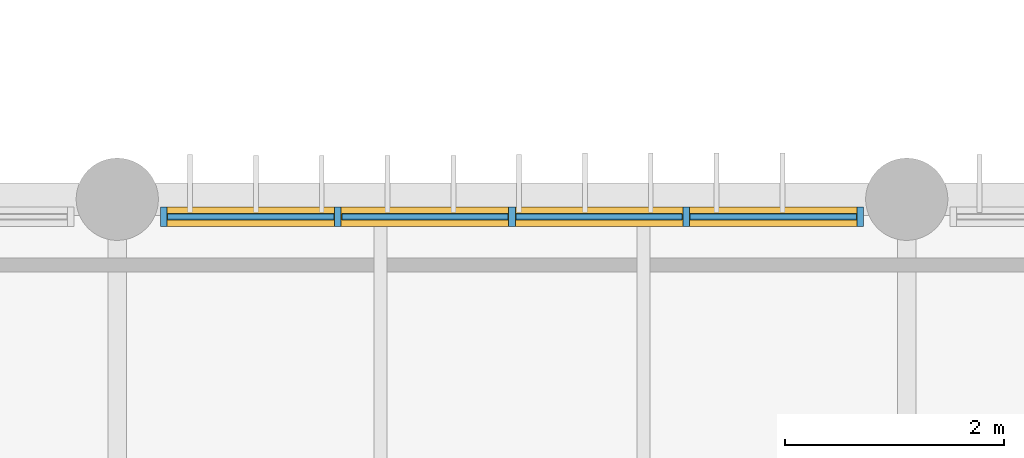
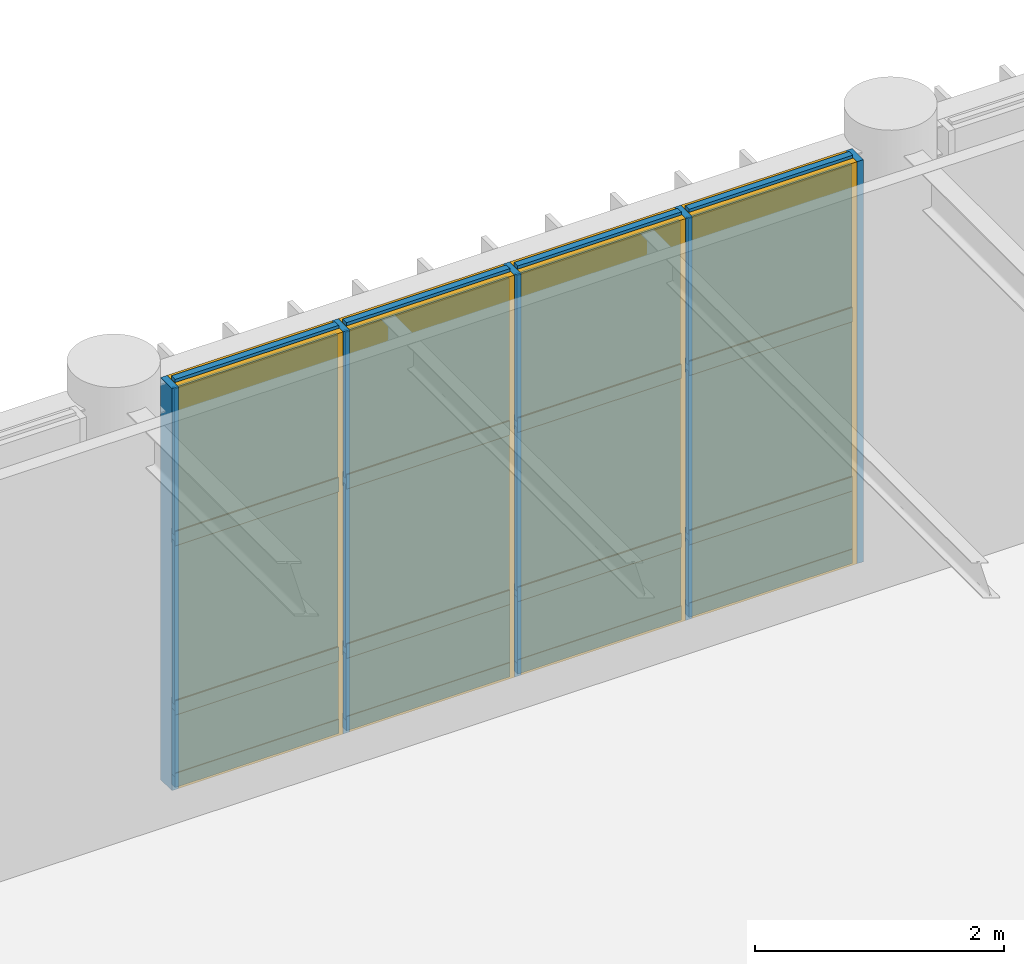
# One storey, part 84 of 122: 21 members, 12 plates, 1 curtain wall.
"""IFC4 building model written with IfcOpenShell, lengths in metres."""

from ifc_helpers import new_model, si_unit, direction, frame, frame_2d, origin, origin_2d, place, context, subcontext, project, spatial, rectangle, extrude, material, layer, layer_set, material_profile, profile_set, type_object, element, aggregate, save


model = new_model("IFC4")

# Units and contexts
model_context = context("Model", 3, precision=1e-05, world=origin(), true_north=direction((0.0, 1.0)))
body_context = subcontext(model_context, "Body", "Model", "MODEL_VIEW")
ifc_project = project(units=[si_unit("LENGTHUNIT", "METRE"), si_unit("AREAUNIT", "SQUARE_METRE"), si_unit("VOLUMEUNIT", "CUBIC_METRE"), si_unit("PLANEANGLEUNIT", "RADIAN"), si_unit("MASSUNIT", "GRAM", prefix="KILO")], contexts=[model_context])

# Member
ifc_material_1 = material(Name="Anodised Bronze Aluminium 6063-T6", Category="aluminium")
ifc_material_profile_1 = material_profile(ifc_material_1, rectangle(XDim=0.06005859375, YDim=0.179931640625, at=origin_2d()), Name="ALU MULLION 60x180")
ifc_profile_set_1 = profile_set([ifc_material_profile_1], Name="Anodised Bronze Aluminium 6063-T6")
member_type_1 = type_object("IfcMemberType", Name="Curtain-Wall Primary Mullion 60x180", PredefinedType="MULLION", material=ifc_profile_set_1)
site_placement = place(None, origin())
building_placement = place(site_placement, origin())
storey_placement = place(building_placement, frame((0.0, 0.0, 4.800048828125)))
member_1_placement = place(storey_placement, frame((103.02490234375, 30.0400390625, 0.0), z_axis=(0.0, 0.0, 1.0), x_axis=(1.0, 0.0, 0.0)))
member_1 = element("IfcMember", 1, at=member_1_placement, type_object=member_type_1, Name="Mullion CWM-01 CW-V5-NRET-E-L01-B2-M01", PredefinedType="MULLION", context=body_context, shape_type="SweptSolid", body=[
    extrude(rectangle(XDim=0.06005859375, YDim=0.179931640625, at=origin_2d()), origin(), (0.0, 0.0, 1.0), 3.93994140625),
])

member_2_placement = place(storey_placement, frame((104.612548828125, 30.0400390625, 0.0), z_axis=(0.0, 0.0, 1.0), x_axis=(1.0, 0.0, 0.0)))
member_2 = element("IfcMember", 2, at=member_2_placement, type_object=member_type_1, Name="Mullion CWM-01 CW-V5-NRET-E-L01-B2-M02", PredefinedType="MULLION", context=body_context, shape_type="SweptSolid", body=[
    extrude(rectangle(XDim=0.06005859375, YDim=0.179931640625, at=origin_2d()), origin(), (0.0, 0.0, 1.0), 3.93994140625),
])

member_3_placement = place(storey_placement, frame((106.199951171875, 30.0400390625, 0.0), z_axis=(0.0, 0.0, 1.0), x_axis=(1.0, 0.0, 0.0)))
member_3 = element("IfcMember", 3, at=member_3_placement, type_object=member_type_1, Name="Mullion CWM-01 CW-V5-NRET-E-L01-B2-M03", PredefinedType="MULLION", context=body_context, shape_type="SweptSolid", body=[
    extrude(rectangle(XDim=0.06005859375, YDim=0.179931640625, at=origin_2d()), origin(), (0.0, 0.0, 1.0), 3.93994140625),
])

member_4_placement = place(storey_placement, frame((107.78759765625, 30.0400390625, 0.0), z_axis=(0.0, 0.0, 1.0), x_axis=(1.0, 0.0, 0.0)))
member_4 = element("IfcMember", 4, at=member_4_placement, type_object=member_type_1, Name="Mullion CWM-01 CW-V5-NRET-E-L01-B2-M04", PredefinedType="MULLION", context=body_context, shape_type="SweptSolid", body=[
    extrude(rectangle(XDim=0.06005859375, YDim=0.179931640625, at=origin_2d()), origin(), (0.0, 0.0, 1.0), 3.93994140625),
])

member_5_placement = place(storey_placement, frame((109.375, 30.0400390625, 0.0), z_axis=(0.0, 0.0, 1.0), x_axis=(1.0, 0.0, 0.0)))
member_5 = element("IfcMember", 5, at=member_5_placement, type_object=member_type_1, Name="Mullion CWM-01 CW-V5-NRET-E-L01-B2-M05", PredefinedType="MULLION", context=body_context, shape_type="SweptSolid", body=[
    extrude(rectangle(XDim=0.06005859375, YDim=0.179931640625, at=origin_2d()), origin(), (0.0, 0.0, 1.0), 3.93994140625),
])

ifc_material_profile_2 = material_profile(ifc_material_1, rectangle(XDim=0.06005859375, YDim=0.139892578125, at=origin_2d()), Name="ALU TRANSOM 60x140")
ifc_profile_set_2 = profile_set([ifc_material_profile_2], Name="Anodised Bronze Aluminium 6063-T6")
member_type_2 = type_object("IfcMemberType", Name="Curtain-Wall Transom 60x140", PredefinedType="USERDEFINED", material=ifc_profile_set_2)
member_6_placement = place(storey_placement, frame((103.06005859375, 30.0400390625, 0.0400390625), z_axis=(1.0, 0.0, 0.0), x_axis=(0.0, 1.0, 0.0)))
member_6 = element("IfcMember", 6, at=member_6_placement, type_object=member_type_2, Name="Transom CWT-01 CW-V5-NRET-E-L01-B2-T01.1", ObjectType="TRANSOM", PredefinedType="USERDEFINED", context=body_context, shape_type="SweptSolid", body=[
    extrude(rectangle(XDim=0.06005859375, YDim=0.139892578125, at=origin_2d()), origin(), (0.0, 0.0, 1.0), 1.517333984375),
])

member_7_placement = place(storey_placement, frame((103.06005859375, 30.0400390625, 0.75), z_axis=(1.0, 0.0, 0.0), x_axis=(0.0, 1.0, 0.0)))
member_7 = element("IfcMember", 7, at=member_7_placement, type_object=member_type_2, Name="Transom CWT-01 CW-V5-NRET-E-L01-B2-T01.2", ObjectType="TRANSOM", PredefinedType="USERDEFINED", context=body_context, shape_type="SweptSolid", body=[
    extrude(rectangle(XDim=0.06005859375, YDim=0.139892578125, at=origin_2d()), origin(), (0.0, 0.0, 1.0), 1.517333984375),
])

member_8_placement = place(storey_placement, frame((103.06005859375, 30.0400390625, 2.40869140625), z_axis=(1.0, 0.0, 0.0), x_axis=(0.0, 1.0, 0.0)))
member_8 = element("IfcMember", 8, at=member_8_placement, type_object=member_type_2, Name="Transom CWT-01 CW-V5-NRET-E-L01-B2-T01.3", ObjectType="TRANSOM", PredefinedType="USERDEFINED", context=body_context, shape_type="SweptSolid", body=[
    extrude(rectangle(XDim=0.06005859375, YDim=0.139892578125, at=origin_2d()), origin(), (0.0, 0.0, 1.0), 1.517333984375),
])

member_9_placement = place(storey_placement, frame((103.06005859375, 30.0400390625, 3.89990234375), z_axis=(1.0, 0.0, 0.0), x_axis=(0.0, 1.0, 0.0)))
member_9 = element("IfcMember", 9, at=member_9_placement, type_object=member_type_2, Name="Transom CWT-01 CW-V5-NRET-E-L01-B2-T01.4", ObjectType="TRANSOM", PredefinedType="USERDEFINED", context=body_context, shape_type="SweptSolid", body=[
    extrude(rectangle(XDim=0.06005859375, YDim=0.139892578125, at=origin_2d()), origin(), (0.0, 0.0, 1.0), 1.517333984375),
])

member_10_placement = place(storey_placement, frame((104.6474609375, 30.0400390625, 0.0400390625), z_axis=(1.0, 0.0, 0.0), x_axis=(0.0, 1.0, 0.0)))
member_10 = element("IfcMember", 10, at=member_10_placement, type_object=member_type_2, Name="Transom CWT-01 CW-V5-NRET-E-L01-B2-T02.1", ObjectType="TRANSOM", PredefinedType="USERDEFINED", context=body_context, shape_type="SweptSolid", body=[
    extrude(rectangle(XDim=0.06005859375, YDim=0.139892578125, at=origin_2d()), origin(), (0.0, 0.0, 1.0), 1.517578125),
])

member_11_placement = place(storey_placement, frame((104.6474609375, 30.0400390625, 0.75), z_axis=(1.0, 0.0, 0.0), x_axis=(0.0, 1.0, 0.0)))
member_11 = element("IfcMember", 11, at=member_11_placement, type_object=member_type_2, Name="Transom CWT-01 CW-V5-NRET-E-L01-B2-T02.2", ObjectType="TRANSOM", PredefinedType="USERDEFINED", context=body_context, shape_type="SweptSolid", body=[
    extrude(rectangle(XDim=0.06005859375, YDim=0.139892578125, at=origin_2d()), origin(), (0.0, 0.0, 1.0), 1.517578125),
])

member_12_placement = place(storey_placement, frame((104.6474609375, 30.0400390625, 2.40869140625), z_axis=(1.0, 0.0, 0.0), x_axis=(0.0, 1.0, 0.0)))
member_12 = element("IfcMember", 12, at=member_12_placement, type_object=member_type_2, Name="Transom CWT-01 CW-V5-NRET-E-L01-B2-T02.3", ObjectType="TRANSOM", PredefinedType="USERDEFINED", context=body_context, shape_type="SweptSolid", body=[
    extrude(rectangle(XDim=0.06005859375, YDim=0.139892578125, at=origin_2d()), origin(), (0.0, 0.0, 1.0), 1.517578125),
])

member_13_placement = place(storey_placement, frame((104.6474609375, 30.0400390625, 3.89990234375), z_axis=(1.0, 0.0, 0.0), x_axis=(0.0, 1.0, 0.0)))
member_13 = element("IfcMember", 13, at=member_13_placement, type_object=member_type_2, Name="Transom CWT-01 CW-V5-NRET-E-L01-B2-T02.4", ObjectType="TRANSOM", PredefinedType="USERDEFINED", context=body_context, shape_type="SweptSolid", body=[
    extrude(rectangle(XDim=0.06005859375, YDim=0.139892578125, at=origin_2d()), origin(), (0.0, 0.0, 1.0), 1.517578125),
])

member_14_placement = place(storey_placement, frame((106.235107421875, 30.0400390625, 0.0400390625), z_axis=(1.0, 0.0, 0.0), x_axis=(0.0, 1.0, 0.0)))
member_14 = element("IfcMember", 14, at=member_14_placement, type_object=member_type_2, Name="Transom CWT-01 CW-V5-NRET-E-L01-B2-T03.1", ObjectType="TRANSOM", PredefinedType="USERDEFINED", context=body_context, shape_type="SweptSolid", body=[
    extrude(rectangle(XDim=0.06005859375, YDim=0.139892578125, at=origin_2d()), origin(), (0.0, 0.0, 1.0), 1.517333984375),
])

member_15_placement = place(storey_placement, frame((106.235107421875, 30.0400390625, 0.75), z_axis=(1.0, 0.0, 0.0), x_axis=(0.0, 1.0, 0.0)))
member_15 = element("IfcMember", 15, at=member_15_placement, type_object=member_type_2, Name="Transom CWT-01 CW-V5-NRET-E-L01-B2-T03.2", ObjectType="TRANSOM", PredefinedType="USERDEFINED", context=body_context, shape_type="SweptSolid", body=[
    extrude(rectangle(XDim=0.06005859375, YDim=0.139892578125, at=origin_2d()), origin(), (0.0, 0.0, 1.0), 1.517333984375),
])

member_16_placement = place(storey_placement, frame((106.235107421875, 30.0400390625, 2.40869140625), z_axis=(1.0, 0.0, 0.0), x_axis=(0.0, 1.0, 0.0)))
member_16 = element("IfcMember", 16, at=member_16_placement, type_object=member_type_2, Name="Transom CWT-01 CW-V5-NRET-E-L01-B2-T03.3", ObjectType="TRANSOM", PredefinedType="USERDEFINED", context=body_context, shape_type="SweptSolid", body=[
    extrude(rectangle(XDim=0.06005859375, YDim=0.139892578125, at=origin_2d()), origin(), (0.0, 0.0, 1.0), 1.517333984375),
])

member_17_placement = place(storey_placement, frame((106.235107421875, 30.0400390625, 3.89990234375), z_axis=(1.0, 0.0, 0.0), x_axis=(0.0, 1.0, 0.0)))
member_17 = element("IfcMember", 17, at=member_17_placement, type_object=member_type_2, Name="Transom CWT-01 CW-V5-NRET-E-L01-B2-T03.4", ObjectType="TRANSOM", PredefinedType="USERDEFINED", context=body_context, shape_type="SweptSolid", body=[
    extrude(rectangle(XDim=0.06005859375, YDim=0.139892578125, at=origin_2d()), origin(), (0.0, 0.0, 1.0), 1.517333984375),
])

member_18_placement = place(storey_placement, frame((107.822509765625, 30.0400390625, 0.0400390625), z_axis=(1.0, 0.0, 0.0), x_axis=(0.0, 1.0, 0.0)))
member_18 = element("IfcMember", 18, at=member_18_placement, type_object=member_type_2, Name="Transom CWT-01 CW-V5-NRET-E-L01-B2-T04.1", ObjectType="TRANSOM", PredefinedType="USERDEFINED", context=body_context, shape_type="SweptSolid", body=[
    extrude(rectangle(XDim=0.06005859375, YDim=0.139892578125, at=origin_2d()), origin(), (0.0, 0.0, 1.0), 1.517578125),
])

member_19_placement = place(storey_placement, frame((107.822509765625, 30.0400390625, 0.75), z_axis=(1.0, 0.0, 0.0), x_axis=(0.0, 1.0, 0.0)))
member_19 = element("IfcMember", 19, at=member_19_placement, type_object=member_type_2, Name="Transom CWT-01 CW-V5-NRET-E-L01-B2-T04.2", ObjectType="TRANSOM", PredefinedType="USERDEFINED", context=body_context, shape_type="SweptSolid", body=[
    extrude(rectangle(XDim=0.06005859375, YDim=0.139892578125, at=origin_2d()), origin(), (0.0, 0.0, 1.0), 1.517578125),
])

member_20_placement = place(storey_placement, frame((107.822509765625, 30.0400390625, 2.40869140625), z_axis=(1.0, 0.0, 0.0), x_axis=(0.0, 1.0, 0.0)))
member_20 = element("IfcMember", 20, at=member_20_placement, type_object=member_type_2, Name="Transom CWT-01 CW-V5-NRET-E-L01-B2-T04.3", ObjectType="TRANSOM", PredefinedType="USERDEFINED", context=body_context, shape_type="SweptSolid", body=[
    extrude(rectangle(XDim=0.06005859375, YDim=0.139892578125, at=origin_2d()), origin(), (0.0, 0.0, 1.0), 1.517578125),
])

member_21_placement = place(storey_placement, frame((107.822509765625, 30.0400390625, 3.89990234375), z_axis=(1.0, 0.0, 0.0), x_axis=(0.0, 1.0, 0.0)))
member_21 = element("IfcMember", 21, at=member_21_placement, type_object=member_type_2, Name="Transom CWT-01 CW-V5-NRET-E-L01-B2-T04.4", ObjectType="TRANSOM", PredefinedType="USERDEFINED", context=body_context, shape_type="SweptSolid", body=[
    extrude(rectangle(XDim=0.06005859375, YDim=0.139892578125, at=origin_2d()), origin(), (0.0, 0.0, 1.0), 1.517578125),
])

# Plate
ifc_material_2 = material(Name="Insulated Bronze Aluminium Spandrel Panel", Category="aluminium")
ifc_layer_1 = layer(ifc_material_2, 0.050048828125, Name="Insulated Bronze Aluminium Spandrel Panel")
ifc_layer_set_1 = layer_set([ifc_layer_1], Name="Insulated Bronze Aluminium Spandrel Panel")
plate_type_1 = type_object("IfcPlateType", Name="Insulated Anodised Aluminium Spandrel Cassette 50", PredefinedType="CURTAIN_PANEL", material=ifc_layer_set_1)
plate_1_placement = place(storey_placement, frame((103.81884765625, 30.0400390625, 0.070068359375), z_axis=(0.0, 0.0, 1.0), x_axis=(1.0, 0.0, 0.0)))
plate_1 = element("IfcPlate", 22, at=plate_1_placement, type_object=plate_type_1, Name="Curtain Panel CWP-03 CW-V5-NRET-E-L01-B2-P01.1", PredefinedType="CURTAIN_PANEL", context=body_context, shape_type="SweptSolid", body=[
    extrude(rectangle(XDim=1.517578125, YDim=0.050048828125, at=origin_2d()), origin(), (0.0, 0.0, 1.0), 0.64990234375),
])

plate_2_placement = place(storey_placement, frame((105.40625, 30.0400390625, 0.070068359375), z_axis=(0.0, 0.0, 1.0), x_axis=(1.0, 0.0, 0.0)))
plate_2 = element("IfcPlate", 23, at=plate_2_placement, type_object=plate_type_1, Name="Curtain Panel CWP-03 CW-V5-NRET-E-L01-B2-P02.1", PredefinedType="CURTAIN_PANEL", context=body_context, shape_type="SweptSolid", body=[
    extrude(rectangle(XDim=1.517578125, YDim=0.050048828125, at=origin_2d()), origin(), (0.0, 0.0, 1.0), 0.64990234375),
])

plate_3_placement = place(storey_placement, frame((106.993896484375, 30.0400390625, 0.070068359375), z_axis=(0.0, 0.0, 1.0), x_axis=(1.0, 0.0, 0.0)))
plate_3 = element("IfcPlate", 24, at=plate_3_placement, type_object=plate_type_1, Name="Curtain Panel CWP-03 CW-V5-NRET-E-L01-B2-P03.1", PredefinedType="CURTAIN_PANEL", context=body_context, shape_type="SweptSolid", body=[
    extrude(rectangle(XDim=1.517578125, YDim=0.050048828125, at=origin_2d()), origin(), (0.0, 0.0, 1.0), 0.64990234375),
])

plate_4_placement = place(storey_placement, frame((108.581298828125, 30.0400390625, 0.070068359375), z_axis=(0.0, 0.0, 1.0), x_axis=(1.0, 0.0, 0.0)))
plate_4 = element("IfcPlate", 25, at=plate_4_placement, type_object=plate_type_1, Name="Curtain Panel CWP-03 CW-V5-NRET-E-L01-B2-P04.1", PredefinedType="CURTAIN_PANEL", context=body_context, shape_type="SweptSolid", body=[
    extrude(rectangle(XDim=1.517578125, YDim=0.050048828125, at=origin_2d()), origin(), (0.0, 0.0, 1.0), 0.64990234375),
])

ifc_material_3 = material(Name="Solar-Control Tempered Double Glazing", Category="glass")
ifc_layer_2 = layer(ifc_material_3, 0.0380859375, Name="Solar-Control Tempered Double Glazing")
ifc_layer_set_2 = layer_set([ifc_layer_2], Name="Solar-Control Tempered Double Glazing")
plate_type_2 = type_object("IfcPlateType", Name="Solar-Control Vision Glazing Unit 38", PredefinedType="CURTAIN_PANEL", material=ifc_layer_set_2)
plate_5_placement = place(storey_placement, frame((103.81884765625, 30.0400390625, 0.77978515625), z_axis=(0.0, 0.0, 1.0), x_axis=(1.0, 0.0, 0.0)))
plate_5 = element("IfcPlate", 26, at=plate_5_placement, type_object=plate_type_2, Name="Curtain Panel CWP-02 CW-V5-NRET-E-L01-B2-P01.2", PredefinedType="CURTAIN_PANEL", context=body_context, shape_type="SweptSolid", body=[
    extrude(rectangle(XDim=1.517578125, YDim=0.0380859375, at=origin_2d()), origin(), (0.0, 0.0, 1.0), 1.598876953125),
])

plate_6_placement = place(storey_placement, frame((103.81884765625, 30.0400390625, 2.438720703125), z_axis=(0.0, 0.0, 1.0), x_axis=(1.0, 0.0, 0.0)))
plate_6 = element("IfcPlate", 27, at=plate_6_placement, type_object=plate_type_2, Name="Curtain Panel CWP-02 CW-V5-NRET-E-L01-B2-P01.3", PredefinedType="CURTAIN_PANEL", context=body_context, shape_type="SweptSolid", body=[
    extrude(rectangle(XDim=1.517578125, YDim=0.0380859375, at=origin_2d()), origin(), (0.0, 0.0, 1.0), 1.43115234375),
])

plate_7_placement = place(storey_placement, frame((105.40625, 30.0400390625, 0.77978515625), z_axis=(0.0, 0.0, 1.0), x_axis=(1.0, 0.0, 0.0)))
plate_7 = element("IfcPlate", 28, at=plate_7_placement, type_object=plate_type_2, Name="Curtain Panel CWP-02 CW-V5-NRET-E-L01-B2-P02.2", PredefinedType="CURTAIN_PANEL", context=body_context, shape_type="SweptSolid", body=[
    extrude(rectangle(XDim=1.517578125, YDim=0.0380859375, at=origin_2d()), origin(), (0.0, 0.0, 1.0), 1.598876953125),
])

plate_8_placement = place(storey_placement, frame((105.40625, 30.0400390625, 2.438720703125), z_axis=(0.0, 0.0, 1.0), x_axis=(1.0, 0.0, 0.0)))
plate_8 = element("IfcPlate", 29, at=plate_8_placement, type_object=plate_type_2, Name="Curtain Panel CWP-02 CW-V5-NRET-E-L01-B2-P02.3", PredefinedType="CURTAIN_PANEL", context=body_context, shape_type="SweptSolid", body=[
    extrude(rectangle(XDim=1.517578125, YDim=0.0380859375, at=origin_2d()), origin(), (0.0, 0.0, 1.0), 1.43115234375),
])

plate_9_placement = place(storey_placement, frame((106.993896484375, 30.0400390625, 0.77978515625), z_axis=(0.0, 0.0, 1.0), x_axis=(1.0, 0.0, 0.0)))
plate_9 = element("IfcPlate", 30, at=plate_9_placement, type_object=plate_type_2, Name="Curtain Panel CWP-02 CW-V5-NRET-E-L01-B2-P03.2", PredefinedType="CURTAIN_PANEL", context=body_context, shape_type="SweptSolid", body=[
    extrude(rectangle(XDim=1.517578125, YDim=0.0380859375, at=origin_2d()), origin(), (0.0, 0.0, 1.0), 1.598876953125),
])

plate_10_placement = place(storey_placement, frame((106.993896484375, 30.0400390625, 2.438720703125), z_axis=(0.0, 0.0, 1.0), x_axis=(1.0, 0.0, 0.0)))
plate_10 = element("IfcPlate", 31, at=plate_10_placement, type_object=plate_type_2, Name="Curtain Panel CWP-02 CW-V5-NRET-E-L01-B2-P03.3", PredefinedType="CURTAIN_PANEL", context=body_context, shape_type="SweptSolid", body=[
    extrude(rectangle(XDim=1.517578125, YDim=0.0380859375, at=origin_2d()), origin(), (0.0, 0.0, 1.0), 1.43115234375),
])

plate_11_placement = place(storey_placement, frame((108.581298828125, 30.0400390625, 0.77978515625), z_axis=(0.0, 0.0, 1.0), x_axis=(1.0, 0.0, 0.0)))
plate_11 = element("IfcPlate", 32, at=plate_11_placement, type_object=plate_type_2, Name="Curtain Panel CWP-02 CW-V5-NRET-E-L01-B2-P04.2", PredefinedType="CURTAIN_PANEL", context=body_context, shape_type="SweptSolid", body=[
    extrude(rectangle(XDim=1.517578125, YDim=0.0380859375, at=origin_2d()), origin(), (0.0, 0.0, 1.0), 1.598876953125),
])

plate_12_placement = place(storey_placement, frame((108.581298828125, 30.0400390625, 2.438720703125), z_axis=(0.0, 0.0, 1.0), x_axis=(1.0, 0.0, 0.0)))
plate_12 = element("IfcPlate", 33, at=plate_12_placement, type_object=plate_type_2, Name="Curtain Panel CWP-02 CW-V5-NRET-E-L01-B2-P04.3", PredefinedType="CURTAIN_PANEL", context=body_context, shape_type="SweptSolid", body=[
    extrude(rectangle(XDim=1.517578125, YDim=0.0380859375, at=origin_2d()), origin(), (0.0, 0.0, 1.0), 1.43115234375),
])

# Site, building, storey
site = spatial("IfcSite", under=ifc_project, at=site_placement, CompositionType="ELEMENT")
building = spatial("IfcBuilding", under=site, at=building_placement, Name="Tazoul Stagehouse", CompositionType="ELEMENT")
storey = spatial("IfcBuildingStorey", under=building, at=storey_placement, Name="L01", CompositionType="ELEMENT", Elevation=4.800048828125)

# Curtain wall
curtain_wall_type = type_object("IfcCurtainWallType", Name="Foyer Clear Solar-Control Curtain Wall", PredefinedType="NOTDEFINED", material=ifc_material_1)
curtain_wall_placement = place(storey_placement, frame((103.02490234375, 30.0400390625, 0.0), z_axis=(0.0, 0.0, 1.0), x_axis=(1.0, 0.0, 0.0)))
curtain_wall = element("IfcCurtainWall", 34, at=curtain_wall_placement, inside=storey, type_object=curtain_wall_type, Name="L01 Curtain Wall CW-02 (CW-V5-NRET-E-L01-B2)", PredefinedType="NOTDEFINED", context=body_context, shape_type="SweptSolid", body=[
    extrude(rectangle(XDim=6.35009765625, YDim=0.179931640625, at=frame_2d((3.175048828125, 0.0))), origin(), (0.0, 0.0, 1.0), 3.93994140625),
])

aggregate(curtain_wall, [member_1, member_2, member_3, member_4, member_5, member_6, member_7, member_8, member_9, plate_1, plate_5, plate_6, member_10, member_11, member_12, member_13, plate_2, plate_7, plate_8, member_14, member_15, member_16, member_17, plate_3, plate_9, plate_10, member_18, member_19, member_20, member_21, plate_4, plate_11, plate_12])

save(model, "model.ifc")
